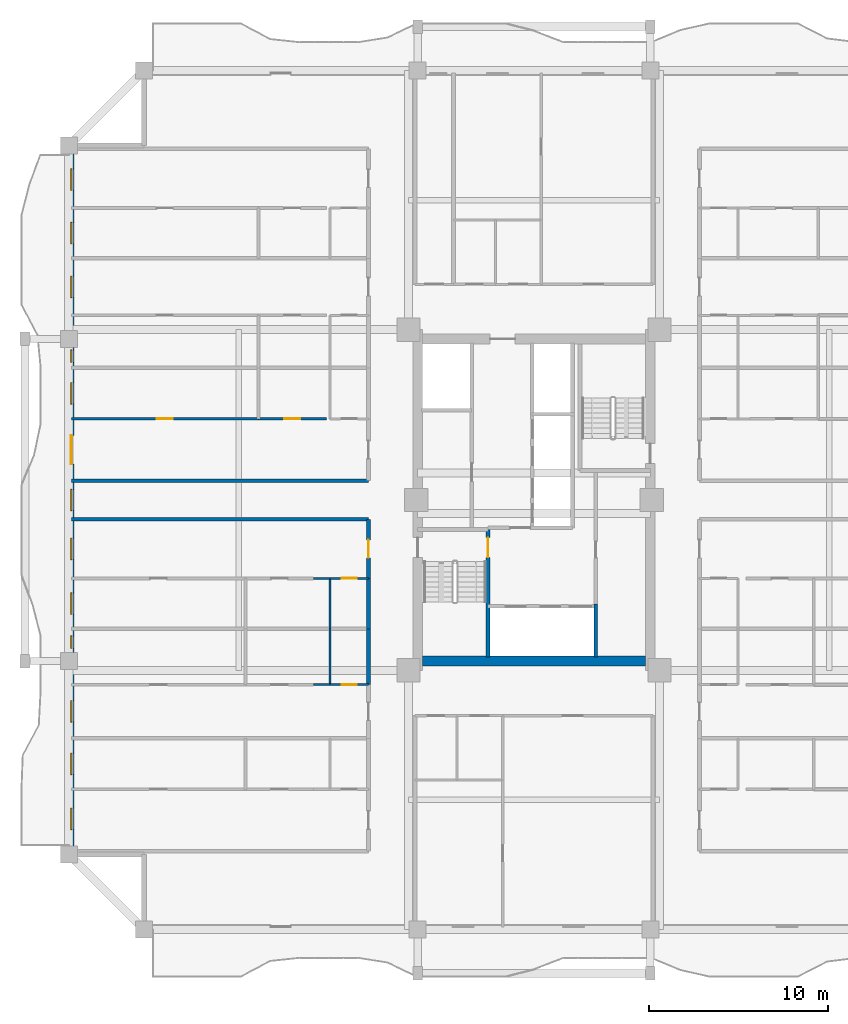
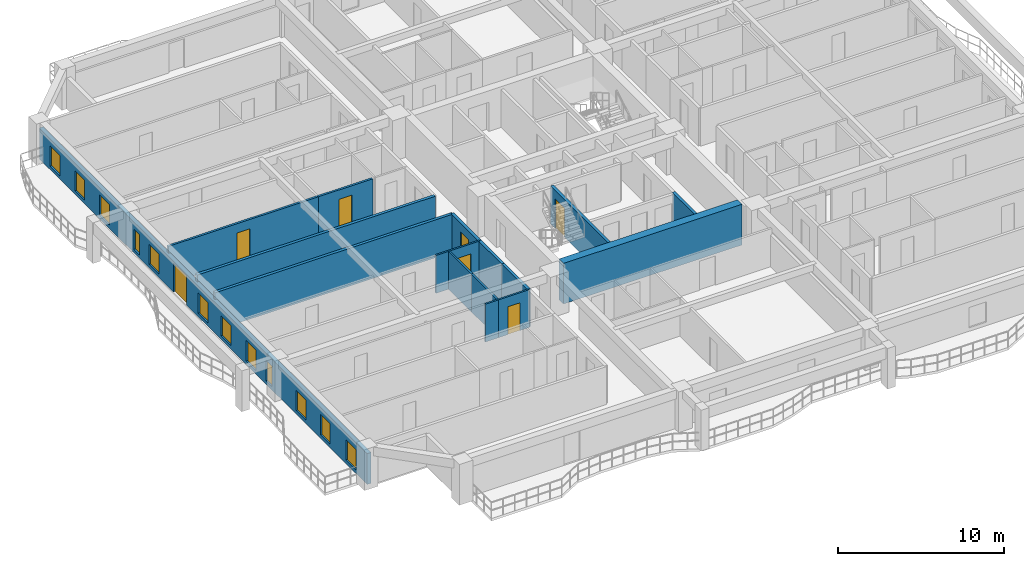
# One storey, part 3 of 13: 17 walls, 12 windows, 7 doors, 19 openings.
"""IFC4 building model written with IfcOpenShell, lengths in metres."""

from ifc_helpers import new_model, si_unit, direction, frame, frame_2d, origin, place, context, subcontext, project, spatial, rectangle, extrude, source, transform, mapped, material, layer, layer_set, type_object, element, fill, save


model = new_model("IFC4")

# Units and contexts
model_context = context("Model", 3, precision=1e-05, world=origin(), true_north=direction((0.0, 1.0)))
body_context = subcontext(model_context, "Body", "Model", "MODEL_VIEW")
ifc_project = project(units=[si_unit("LENGTHUNIT", "METRE"), si_unit("AREAUNIT", "SQUARE_METRE"), si_unit("VOLUMEUNIT", "CUBIC_METRE"), si_unit("PLANEANGLEUNIT", "RADIAN"), si_unit("MASSUNIT", "GRAM", prefix="KILO")], contexts=[model_context])

# Site, building, storey
site_placement = place(None, origin())
site = spatial("IfcSite", under=ifc_project, at=site_placement, CompositionType="ELEMENT")
building_placement = place(site_placement, origin())
building = spatial("IfcBuilding", under=site, at=building_placement, Name="Saelheon Loggia Tower", CompositionType="ELEMENT")
storey_placement = place(building_placement, frame((0.0, 0.0, 92.85009765625)))
storey = spatial("IfcBuildingStorey", under=building, at=storey_placement, Name="L29", CompositionType="ELEMENT", Elevation=92.85009765625)

# Wall
ifc_material_1 = material(Name="Concrete C50/60", Category="concrete")
ifc_layer_1 = layer(ifc_material_1, 0.550048828125)
ifc_layer_set_1 = layer_set([ifc_layer_1], Name="Concrete C50/60")
wall_type_1 = type_object("IfcWallType", Name="Wall_CoreShear_550", PredefinedType="SHEAR", material=ifc_layer_set_1)
wall_1_placement = place(storey_placement, frame((31.77490234375, 18.0, 0.0), z_axis=(0.0, 0.0, 1.0), x_axis=(1.0, 0.0, 0.0)))
element("IfcWall", 1, at=wall_1_placement, inside=storey, type_object=wall_type_1, Name="L29 Core Shear Wall South", PredefinedType="SHEAR", context=body_context, shape_type="SweptSolid", body=[
    extrude(rectangle(XDim=12.4501953125, YDim=0.550048828125, at=frame_2d((6.22509765625, 0.0))), origin(), (0.0, 0.0, 1.0), 3.0),
])

# Wall, openings, windows, door
ifc_material_2 = material(Name="Architectural Precast Concrete C40/50", Category="concrete")
ifc_layer_2 = layer(ifc_material_2, 0.280029296875)
ifc_layer_set_2 = layer_set([ifc_layer_2], Name="Architectural Precast Concrete C40/50")
wall_type_2 = type_object("IfcWallType", Name="Wall_Ext_Loggia_280", PredefinedType="SOLIDWALL", material=ifc_layer_set_2)
wall_2_placement = place(storey_placement, frame((12.139892578125, 7.199951171875, 0.0), z_axis=(0.0, 0.0, 1.0), x_axis=(0.0, 1.0, 0.0)))
wall_2 = element("IfcWall", 2, at=wall_2_placement, inside=storey, type_object=wall_type_2, Name="L29 West Loggia Inner Wall", PredefinedType="SOLIDWALL", context=body_context, shape_type="SweptSolid", body=[
    extrude(rectangle(XDim=39.60009765625, YDim=0.280029296875, at=frame_2d((19.800048828125, 0.0))), origin(), (0.0, 0.0, 1.0), 2.27978515625),
])
opening_1_placement = place(wall_2_placement, frame((1.374267578125, 0.0, 0.25)))
opening_1 = element("IfcOpeningElement", 3, at=opening_1_placement, cuts=wall_2, Name="Opening WN-03", PredefinedType="OPENING", context=body_context, shape_type="SweptSolid", body=[
    extrude(rectangle(XDim=1.199951171875, YDim=1.5, at=frame_2d((0.60009765625, 0.75))), frame((0.0, 0.152099609375, 0.0), z_axis=(0.0, -1.0, 0.0), x_axis=(1.0, 0.0, 0.0)), (0.0, 0.0, 1.0), 0.303955078125),
])
opening_2_placement = place(wall_2_placement, frame((4.45849609375, 0.0, 0.25)))
opening_2 = element("IfcOpeningElement", 4, at=opening_2_placement, cuts=wall_2, Name="Opening WN-03", PredefinedType="OPENING", context=body_context, shape_type="SweptSolid", body=[
    extrude(rectangle(XDim=1.199951171875, YDim=1.5, at=frame_2d((0.60009765625, 0.75))), frame((0.0, 0.152099609375, 0.0), z_axis=(0.0, -1.0, 0.0), x_axis=(1.0, 0.0, 0.0)), (0.0, 0.0, 1.0), 0.303955078125),
])
opening_3_placement = place(wall_2_placement, frame((7.3818359375, 0.0, 0.25)))
opening_3 = element("IfcOpeningElement", 5, at=opening_3_placement, cuts=wall_2, Name="Opening WN-03", PredefinedType="OPENING", context=body_context, shape_type="SweptSolid", body=[
    extrude(rectangle(XDim=1.199951171875, YDim=1.5, at=frame_2d((0.60009765625, 0.75))), frame((0.0, 0.152099609375, 0.0), z_axis=(0.0, -1.0, 0.0), x_axis=(1.0, 0.0, 0.0)), (0.0, 0.0, 1.0), 0.303955078125),
])
opening_4_placement = place(wall_2_placement, frame((11.50830078125, 0.0, 0.25)))
opening_4 = element("IfcOpeningElement", 6, at=opening_4_placement, cuts=wall_2, Name="Opening WN-06", PredefinedType="OPENING", context=body_context, shape_type="SweptSolid", body=[
    extrude(rectangle(XDim=0.699951171875, YDim=1.5, at=frame_2d((0.35009765625, 0.75))), frame((0.0, 0.152099609375, 0.0), z_axis=(0.0, -1.0, 0.0), x_axis=(1.0, 0.0, 0.0)), (0.0, 0.0, 1.0), 0.303955078125),
])
opening_5_placement = place(wall_2_placement, frame((13.408935546875, 0.0, 0.25)))
opening_5 = element("IfcOpeningElement", 7, at=opening_5_placement, cuts=wall_2, Name="Opening WN-03", PredefinedType="OPENING", context=body_context, shape_type="SweptSolid", body=[
    extrude(rectangle(XDim=1.199951171875, YDim=1.5, at=frame_2d((0.60009765625, 0.75))), frame((0.0, 0.152099609375, 0.0), z_axis=(0.0, -1.0, 0.0), x_axis=(1.0, 0.0, 0.0)), (0.0, 0.0, 1.0), 0.303955078125),
])
opening_6_placement = place(wall_2_placement, frame((16.468017578125, 0.0, 0.25)))
opening_6 = element("IfcOpeningElement", 8, at=opening_6_placement, cuts=wall_2, Name="Opening WN-03", PredefinedType="OPENING", context=body_context, shape_type="SweptSolid", body=[
    extrude(rectangle(XDim=1.199951171875, YDim=1.5, at=frame_2d((0.60009765625, 0.75))), frame((0.0, 0.152099609375, 0.0), z_axis=(0.0, -1.0, 0.0), x_axis=(1.0, 0.0, 0.0)), (0.0, 0.0, 1.0), 0.303955078125),
])
opening_7_placement = place(wall_2_placement, frame((19.199951171875, 0.0, 0.25)))
opening_7 = element("IfcOpeningElement", 9, at=opening_7_placement, cuts=wall_2, Name="Opening WN-03", PredefinedType="OPENING", context=body_context, shape_type="SweptSolid", body=[
    extrude(rectangle(XDim=1.199951171875, YDim=1.5, at=frame_2d((0.60009765625, 0.75))), frame((0.0, 0.152099609375, 0.0), z_axis=(0.0, -1.0, 0.0), x_axis=(1.0, 0.0, 0.0)), (0.0, 0.0, 1.0), 0.303955078125),
])
opening_8_placement = place(wall_2_placement, frame((21.806884765625, 0.0, 0.0)))
opening_8 = element("IfcOpeningElement", 10, at=opening_8_placement, cuts=wall_2, Name="Opening DLG-1", PredefinedType="OPENING", context=body_context, shape_type="SweptSolid", body=[
    extrude(rectangle(XDim=1.60009765625, YDim=2.14990234375, at=frame_2d((0.800048828125, 1.074951171875))), frame((0.0, 0.152099609375, 0.0), z_axis=(0.0, -1.0, 0.0), x_axis=(1.0, 0.0, 0.0)), (0.0, 0.0, 1.0), 0.303955078125),
])
opening_9_placement = place(wall_2_placement, frame((25.15869140625, 0.0, 0.25)))
opening_9 = element("IfcOpeningElement", 11, at=opening_9_placement, cuts=wall_2, Name="Opening WN-03", PredefinedType="OPENING", context=body_context, shape_type="SweptSolid", body=[
    extrude(rectangle(XDim=1.199951171875, YDim=1.5, at=frame_2d((0.60009765625, 0.75))), frame((0.0, 0.152099609375, 0.0), z_axis=(0.0, -1.0, 0.0), x_axis=(1.0, 0.0, 0.0)), (0.0, 0.0, 1.0), 0.303955078125),
])
opening_10_placement = place(wall_2_placement, frame((27.484375, 0.0, 0.25)))
opening_10 = element("IfcOpeningElement", 12, at=opening_10_placement, cuts=wall_2, Name="Opening WN-06", PredefinedType="OPENING", context=body_context, shape_type="SweptSolid", body=[
    extrude(rectangle(XDim=0.699951171875, YDim=1.5, at=frame_2d((0.35009765625, 0.75))), frame((0.0, 0.152099609375, 0.0), z_axis=(0.0, -1.0, 0.0), x_axis=(1.0, 0.0, 0.0)), (0.0, 0.0, 1.0), 0.303955078125),
])
opening_11_placement = place(wall_2_placement, frame((31.11083984375, 0.0, 0.25)))
opening_11 = element("IfcOpeningElement", 13, at=opening_11_placement, cuts=wall_2, Name="Opening WN-03", PredefinedType="OPENING", context=body_context, shape_type="SweptSolid", body=[
    extrude(rectangle(XDim=1.199951171875, YDim=1.5, at=frame_2d((0.60009765625, 0.75))), frame((0.0, 0.152099609375, 0.0), z_axis=(0.0, -1.0, 0.0), x_axis=(1.0, 0.0, 0.0)), (0.0, 0.0, 1.0), 0.303955078125),
])
opening_12_placement = place(wall_2_placement, frame((34.10888671875, 0.0, 0.25)))
opening_12 = element("IfcOpeningElement", 14, at=opening_12_placement, cuts=wall_2, Name="Opening WN-03", PredefinedType="OPENING", context=body_context, shape_type="SweptSolid", body=[
    extrude(rectangle(XDim=1.199951171875, YDim=1.5, at=frame_2d((0.60009765625, 0.75))), frame((0.0, 0.152099609375, 0.0), z_axis=(0.0, -1.0, 0.0), x_axis=(1.0, 0.0, 0.0)), (0.0, 0.0, 1.0), 0.303955078125),
])
opening_13_placement = place(wall_2_placement, frame((37.1005859375, 0.0, 0.25)))
opening_13 = element("IfcOpeningElement", 15, at=opening_13_placement, cuts=wall_2, Name="Opening WN-03", PredefinedType="OPENING", context=body_context, shape_type="SweptSolid", body=[
    extrude(rectangle(XDim=1.199951171875, YDim=1.5, at=frame_2d((0.60009765625, 0.75))), frame((0.0, 0.152099609375, 0.0), z_axis=(0.0, -1.0, 0.0), x_axis=(1.0, 0.0, 0.0)), (0.0, 0.0, 1.0), 0.303955078125),
])
ifc_material_3 = material(Name="Thermal-Break Aluminium and Triple Low-E Glass", Category="aluminium")
window_type_1 = type_object("IfcWindowType", Name="Win_Slot_700x1500", PartitioningType="SINGLE_PANEL", PredefinedType="WINDOW", material=ifc_material_3)
shared_shape_1 = source(origin(), body_context, "Body", "SweptSolid", [
    extrude(rectangle(XDim=0.699951171875, YDim=1.5, at=frame_2d((0.35009765625, 0.75))), frame((0.0, 0.030029296875, 0.0), z_axis=(0.0, -1.0, 0.0), x_axis=(1.0, 0.0, 0.0)), (0.0, 0.0, 1.0), 0.06005859375),
])
window_1_placement = place(opening_4_placement, origin())
window_1 = element("IfcWindow", 16, at=window_1_placement, inside=storey, type_object=window_type_1, Name="L29 W Dwelling Window 4", OverallHeight=1.5, OverallWidth=0.699951171875, PartitioningType="SINGLE_PANEL", PredefinedType="WINDOW", context=body_context, shape_type="MappedRepresentation", body=[
    mapped(shared_shape_1, transform((0.0, 0.0, 0.0), scale=1.0)),
])
fill(opening_4, window_1)
window_2_placement = place(opening_10_placement, origin())
window_2 = element("IfcWindow", 17, at=window_2_placement, inside=storey, type_object=window_type_1, Name="L29 W Dwelling Window 10", OverallHeight=1.5, OverallWidth=0.699951171875, PartitioningType="SINGLE_PANEL", PredefinedType="WINDOW", context=body_context, shape_type="MappedRepresentation", body=[
    mapped(shared_shape_1, transform((0.0, 0.0, 0.0), scale=1.0)),
])
fill(opening_10, window_2)
window_type_2 = type_object("IfcWindowType", Name="Win_Bedroom_1200x1500", PartitioningType="SINGLE_PANEL", PredefinedType="WINDOW", material=ifc_material_3)
shared_shape_2 = source(origin(), body_context, "Body", "SweptSolid", [
    extrude(rectangle(XDim=1.199951171875, YDim=1.5, at=frame_2d((0.60009765625, 0.75))), frame((0.0, 0.030029296875, 0.0), z_axis=(0.0, -1.0, 0.0), x_axis=(1.0, 0.0, 0.0)), (0.0, 0.0, 1.0), 0.06005859375),
])
window_3_placement = place(opening_1_placement, origin())
window_3 = element("IfcWindow", 18, at=window_3_placement, inside=storey, type_object=window_type_2, Name="L29 W Dwelling Window 1", OverallHeight=1.5, OverallWidth=1.199951171875, PartitioningType="SINGLE_PANEL", PredefinedType="WINDOW", context=body_context, shape_type="MappedRepresentation", body=[
    mapped(shared_shape_2, transform((0.0, 0.0, 0.0), scale=1.0)),
])
fill(opening_1, window_3)
window_4_placement = place(opening_2_placement, origin())
window_4 = element("IfcWindow", 19, at=window_4_placement, inside=storey, type_object=window_type_2, Name="L29 W Dwelling Window 2", OverallHeight=1.5, OverallWidth=1.199951171875, PartitioningType="SINGLE_PANEL", PredefinedType="WINDOW", context=body_context, shape_type="MappedRepresentation", body=[
    mapped(shared_shape_2, transform((0.0, 0.0, 0.0), scale=1.0)),
])
fill(opening_2, window_4)
window_5_placement = place(opening_3_placement, origin())
window_5 = element("IfcWindow", 20, at=window_5_placement, inside=storey, type_object=window_type_2, Name="L29 W Dwelling Window 3", OverallHeight=1.5, OverallWidth=1.199951171875, PartitioningType="SINGLE_PANEL", PredefinedType="WINDOW", context=body_context, shape_type="MappedRepresentation", body=[
    mapped(shared_shape_2, transform((0.0, 0.0, 0.0), scale=1.0)),
])
fill(opening_3, window_5)
window_6_placement = place(opening_5_placement, origin())
window_6 = element("IfcWindow", 21, at=window_6_placement, inside=storey, type_object=window_type_2, Name="L29 W Dwelling Window 5", OverallHeight=1.5, OverallWidth=1.199951171875, PartitioningType="SINGLE_PANEL", PredefinedType="WINDOW", context=body_context, shape_type="MappedRepresentation", body=[
    mapped(shared_shape_2, transform((0.0, 0.0, 0.0), scale=1.0)),
])
fill(opening_5, window_6)
window_7_placement = place(opening_6_placement, origin())
window_7 = element("IfcWindow", 22, at=window_7_placement, inside=storey, type_object=window_type_2, Name="L29 W Dwelling Window 6", OverallHeight=1.5, OverallWidth=1.199951171875, PartitioningType="SINGLE_PANEL", PredefinedType="WINDOW", context=body_context, shape_type="MappedRepresentation", body=[
    mapped(shared_shape_2, transform((0.0, 0.0, 0.0), scale=1.0)),
])
fill(opening_6, window_7)
window_8_placement = place(opening_7_placement, origin())
window_8 = element("IfcWindow", 23, at=window_8_placement, inside=storey, type_object=window_type_2, Name="L29 W Dwelling Window 7", OverallHeight=1.5, OverallWidth=1.199951171875, PartitioningType="SINGLE_PANEL", PredefinedType="WINDOW", context=body_context, shape_type="MappedRepresentation", body=[
    mapped(shared_shape_2, transform((0.0, 0.0, 0.0), scale=1.0)),
])
fill(opening_7, window_8)
window_9_placement = place(opening_9_placement, origin())
window_9 = element("IfcWindow", 24, at=window_9_placement, inside=storey, type_object=window_type_2, Name="L29 W Dwelling Window 9", OverallHeight=1.5, OverallWidth=1.199951171875, PartitioningType="SINGLE_PANEL", PredefinedType="WINDOW", context=body_context, shape_type="MappedRepresentation", body=[
    mapped(shared_shape_2, transform((0.0, 0.0, 0.0), scale=1.0)),
])
fill(opening_9, window_9)
window_10_placement = place(opening_11_placement, origin())
window_10 = element("IfcWindow", 25, at=window_10_placement, inside=storey, type_object=window_type_2, Name="L29 W Dwelling Window 11", OverallHeight=1.5, OverallWidth=1.199951171875, PartitioningType="SINGLE_PANEL", PredefinedType="WINDOW", context=body_context, shape_type="MappedRepresentation", body=[
    mapped(shared_shape_2, transform((0.0, 0.0, 0.0), scale=1.0)),
])
fill(opening_11, window_10)
window_11_placement = place(opening_12_placement, origin())
window_11 = element("IfcWindow", 26, at=window_11_placement, inside=storey, type_object=window_type_2, Name="L29 W Dwelling Window 12", OverallHeight=1.5, OverallWidth=1.199951171875, PartitioningType="SINGLE_PANEL", PredefinedType="WINDOW", context=body_context, shape_type="MappedRepresentation", body=[
    mapped(shared_shape_2, transform((0.0, 0.0, 0.0), scale=1.0)),
])
fill(opening_12, window_11)
window_12_placement = place(opening_13_placement, origin())
window_12 = element("IfcWindow", 27, at=window_12_placement, inside=storey, type_object=window_type_2, Name="L29 W Dwelling Window 13", OverallHeight=1.5, OverallWidth=1.199951171875, PartitioningType="SINGLE_PANEL", PredefinedType="WINDOW", context=body_context, shape_type="MappedRepresentation", body=[
    mapped(shared_shape_2, transform((0.0, 0.0, 0.0), scale=1.0)),
])
fill(opening_13, window_12)
ifc_material_4 = material(Name="Thermal-Break Aluminium Sliding Glazed Door", Category="aluminium")
door_type_1 = type_object("IfcDoorType", Name="Door_LoggiaSlide_1600", OperationType="SLIDING_TO_LEFT", PredefinedType="DOOR", material=ifc_material_4)
shared_shape_3 = source(origin(), body_context, "Body", "SweptSolid", [
    extrude(rectangle(XDim=1.60009765625, YDim=2.14990234375, at=frame_2d((0.800048828125, 1.074951171875))), frame((0.0, 0.02490234375, 0.0), z_axis=(0.0, -1.0, 0.0), x_axis=(1.0, 0.0, 0.0)), (0.0, 0.0, 1.0), 0.050048828125),
])
door_1_placement = place(opening_8_placement, origin())
door_1 = element("IfcDoor", 28, at=door_1_placement, inside=storey, type_object=door_type_1, Name="L29 W Loggia Access Door", OperationType="SLIDING_TO_LEFT", OverallHeight=2.14990234375, OverallWidth=1.60009765625, PredefinedType="DOOR", context=body_context, shape_type="MappedRepresentation", body=[
    mapped(shared_shape_3, transform((0.0, 0.0, 0.0), scale=1.0)),
])
fill(opening_8, door_1)

# Wall, opening, door
ifc_material_5 = material(Name="Lightweight Autoclaved Aerated Concrete Block and Acoustic Gypsum", Category="concrete")
ifc_layer_3 = layer(ifc_material_5, 0.14990234375)
ifc_layer_set_3 = layer_set([ifc_layer_3], Name="Lightweight Autoclaved Aerated Concrete Block and Acoustic Gypsum")
wall_type_3 = type_object("IfcWallType", Name="Wall_Part_150", PredefinedType="PARTITIONING", material=ifc_layer_set_3)
wall_3_placement = place(storey_placement, frame((26.39990234375, 31.53369140625, 0.0), z_axis=(0.0, 0.0, 1.0), x_axis=(-1.0, 0.0, 0.0)))
wall_3 = element("IfcWall", 29, at=wall_3_placement, inside=storey, type_object=wall_type_3, Name="L29 WN Partition U08", PredefinedType="PARTITIONING", context=body_context, shape_type="SweptSolid", body=[
    extrude(rectangle(XDim=3.7998046875, YDim=0.14990234375, at=frame_2d((1.89990234375, 0.0))), origin(), (0.0, 0.0, 1.0), 2.789794921875),
])
opening_14_placement = place(wall_3_placement, frame((1.449951171875, 0.0, 0.0)))
opening_14 = element("IfcOpeningElement", 30, at=opening_14_placement, cuts=wall_3, Name="Opening D-IN2", PredefinedType="OPENING", context=body_context, shape_type="SweptSolid", body=[
    extrude(rectangle(XDim=0.89990234375, YDim=2.10009765625, at=frame_2d((0.449951171875, 1.050048828125))), frame((0.0, 0.0869140625, 0.0), z_axis=(0.0, -1.0, 0.0), x_axis=(1.0, 0.0, 0.0)), (0.0, 0.0, 1.0), 0.173828125),
])
ifc_material_6 = material(Name="Engineered Oak Flush Door", Category="timber")
door_type_2 = type_object("IfcDoorType", Name="Door_Int_900", OperationType="NOTDEFINED", PredefinedType="DOOR", material=ifc_material_6)
shared_shape_4 = source(origin(), body_context, "Body", "SweptSolid", [
    extrude(rectangle(XDim=0.89990234375, YDim=2.10009765625, at=frame_2d((0.449951171875, 1.050048828125))), frame((0.0, 0.02490234375, 0.0), z_axis=(0.0, -1.0, 0.0), x_axis=(1.0, 0.0, 0.0)), (0.0, 0.0, 1.0), 0.050048828125),
])
door_2_placement = place(opening_14_placement, origin())
door_2 = element("IfcDoor", 31, at=door_2_placement, inside=storey, type_object=door_type_2, Name="Unit U04 Kitchen Door", OperationType="SINGLE_SWING_RIGHT", OverallHeight=2.10009765625, OverallWidth=0.89990234375, PredefinedType="DOOR", context=body_context, shape_type="MappedRepresentation", body=[
    mapped(shared_shape_4, transform((0.0, 0.0, 0.0), scale=1.0)),
])
fill(opening_14, door_2)

wall_4_placement = place(storey_placement, frame((22.60009765625, 31.53369140625, 0.0), z_axis=(0.0, 0.0, 1.0), x_axis=(-1.0, 0.0, 0.0)))
wall_4 = element("IfcWall", 32, at=wall_4_placement, inside=storey, type_object=wall_type_3, Name="L29 WN Partition U09", PredefinedType="PARTITIONING", context=body_context, shape_type="SweptSolid", body=[
    extrude(rectangle(XDim=10.4501953125, YDim=0.14990234375, at=frame_2d((5.22509765625, 0.0))), origin(), (0.0, 0.0, 1.0), 2.789794921875),
])
opening_15_placement = place(wall_4_placement, frame((4.77490234375, 0.0, 0.0)))
opening_15 = element("IfcOpeningElement", 33, at=opening_15_placement, cuts=wall_4, Name="Opening D-IN2", PredefinedType="OPENING", context=body_context, shape_type="SweptSolid", body=[
    extrude(rectangle(XDim=0.89990234375, YDim=2.10009765625, at=frame_2d((0.449951171875, 1.050048828125))), frame((0.0, 0.0869140625, 0.0), z_axis=(0.0, -1.0, 0.0), x_axis=(1.0, 0.0, 0.0)), (0.0, 0.0, 1.0), 0.173828125),
])
door_3_placement = place(opening_15_placement, origin())
door_3 = element("IfcDoor", 34, at=door_3_placement, inside=storey, type_object=door_type_2, Name="Unit U04 Bedroom 1 Door", OperationType="SINGLE_SWING_LEFT", OverallHeight=2.10009765625, OverallWidth=0.89990234375, PredefinedType="DOOR", context=body_context, shape_type="MappedRepresentation", body=[
    mapped(shared_shape_4, transform((0.0, 0.0, 0.0), scale=1.0)),
])
fill(opening_15, door_3)

# Walls
ifc_material_7 = material(Name="Double Acoustic Stud and Fireboard Partition", Category="gypsum")
ifc_layer_4 = layer(ifc_material_7, 0.199951171875)
ifc_layer_set_4 = layer_set([ifc_layer_4], Name="Double Acoustic Stud and Fireboard Partition")
wall_type_4 = type_object("IfcWallType", Name="Wall_Party_200", PredefinedType="PARTITIONING", material=ifc_layer_set_4)
wall_5_placement = place(storey_placement, frame((28.75, 25.919921875, 0.0), z_axis=(0.0, 0.0, 1.0), x_axis=(-1.0, 0.0, 0.0)))
element("IfcWall", 35, at=wall_5_placement, inside=storey, type_object=wall_type_4, Name="L29 WS Partition U02", PredefinedType="PARTITIONING", context=body_context, shape_type="SweptSolid", body=[
    extrude(rectangle(XDim=16.60009765625, YDim=0.199951171875, at=frame_2d((8.300048828125, 0.0))), origin(), (0.0, 0.0, 1.0), 2.789794921875),
])
wall_6_placement = place(storey_placement, frame((28.75, 16.679931640625, 0.0), z_axis=(0.0, 0.0, 1.0), x_axis=(0.0, 1.0, 0.0)))
element("IfcWall", 36, at=wall_6_placement, inside=storey, type_object=wall_type_4, Name="L29 WS Partition V13", PredefinedType="PARTITIONING", context=body_context, shape_type="SweptSolid", body=[
    extrude(rectangle(XDim=3.121826171875, YDim=0.199951171875, at=frame_2d((1.56103515625, 0.0))), origin(), (0.0, 0.0, 1.0), 2.789794921875),
])
wall_7_placement = place(storey_placement, frame((28.75, 19.8017578125, 0.0), z_axis=(0.0, 0.0, 1.0), x_axis=(0.0, 1.0, 0.0)))
element("IfcWall", 37, at=wall_7_placement, inside=storey, type_object=wall_type_4, Name="L29 WS Partition V21", PredefinedType="PARTITIONING", context=body_context, shape_type="SweptSolid", body=[
    extrude(rectangle(XDim=2.814453125, YDim=0.199951171875, at=frame_2d((1.4072265625, 0.0))), origin(), (0.0, 0.0, 1.0), 2.789794921875),
])

# Wall, opening, door
wall_8_placement = place(storey_placement, frame((28.75, 22.6162109375, 0.0), z_axis=(0.0, 0.0, 1.0), x_axis=(0.0, 1.0, 0.0)))
wall_8 = element("IfcWall", 38, at=wall_8_placement, inside=storey, type_object=wall_type_4, Name="L29 WS Partition V22", PredefinedType="PARTITIONING", context=body_context, shape_type="SweptSolid", body=[
    extrude(rectangle(XDim=3.3037109375, YDim=0.199951171875, at=frame_2d((1.65185546875, 0.0))), origin(), (0.0, 0.0, 1.0), 2.789794921875),
])
opening_16_placement = place(wall_8_placement, frame((1.15185546875, 0.0, 0.0)))
opening_16 = element("IfcOpeningElement", 39, at=opening_16_placement, cuts=wall_8, Name="Opening D-FD1", PredefinedType="OPENING", context=body_context, shape_type="SweptSolid", body=[
    extrude(rectangle(XDim=1.0, YDim=2.14990234375, at=frame_2d((0.5, 1.074951171875))), frame((0.0, 0.112060546875, 0.0), z_axis=(0.0, -1.0, 0.0), x_axis=(1.0, 0.0, 0.0)), (0.0, 0.0, 1.0), 0.223876953125),
])
ifc_material_8 = material(Name="Fire-Rated Engineered Timber Entrance Door", Category="wood")
door_type_3 = type_object("IfcDoorType", Name="Door_Flat_FD30S", OperationType="NOTDEFINED", PredefinedType="DOOR", material=ifc_material_8)
shared_shape_5 = source(origin(), body_context, "Body", "SweptSolid", [
    extrude(rectangle(XDim=1.0, YDim=2.14990234375, at=frame_2d((0.5, 1.074951171875))), frame((0.0, 0.02490234375, 0.0), z_axis=(0.0, -1.0, 0.0), x_axis=(1.0, 0.0, 0.0)), (0.0, 0.0, 1.0), 0.050048828125),
])
door_4_placement = place(opening_16_placement, origin())
door_4 = element("IfcDoor", 40, at=door_4_placement, inside=storey, type_object=door_type_3, Name="Unit U03 Entrance Door", OperationType="SINGLE_SWING_RIGHT", OverallHeight=2.14990234375, OverallWidth=1.0, PredefinedType="DOOR", context=body_context, shape_type="MappedRepresentation", body=[
    mapped(shared_shape_5, transform((0.0, 0.0, 0.0), scale=1.0)),
])
fill(opening_16, door_4)

# Walls
wall_9_placement = place(storey_placement, frame((28.75, 28.080078125, 0.0), z_axis=(0.0, 0.0, 1.0), x_axis=(-1.0, 0.0, 0.0)))
element("IfcWall", 41, at=wall_9_placement, inside=storey, type_object=wall_type_4, Name="L29 WN Partition U01", PredefinedType="PARTITIONING", context=body_context, shape_type="SweptSolid", body=[
    extrude(rectangle(XDim=16.60009765625, YDim=0.199951171875, at=frame_2d((8.300048828125, 0.0))), origin(), (0.0, 0.0, 1.0), 2.789794921875),
])
ifc_material_9 = material(Name="Concrete C40/50", Category="concrete")
ifc_layer_5 = layer(ifc_material_9, 0.199951171875)
ifc_layer_set_5 = layer_set([ifc_layer_5], Name="Concrete C40/50")
wall_type_5 = type_object("IfcWallType", Name="Wall_Shaft_200", PredefinedType="PARTITIONING", material=ifc_layer_set_5)
wall_10_placement = place(storey_placement, frame((41.449951171875, 18.219970703125, 0.0), z_axis=(0.0, 0.0, 1.0), x_axis=(0.0, 1.0, 0.0)))
element("IfcWall", 42, at=wall_10_placement, inside=storey, type_object=wall_type_5, Name="CW-INT-L29-BOH-W0", PredefinedType="PARTITIONING", context=body_context, shape_type="SweptSolid", body=[
    extrude(rectangle(XDim=2.9599609375, YDim=0.199951171875, at=frame_2d((1.47998046875, 0.0))), origin(), (0.0, 0.0, 1.0), 2.789794921875),
])

# Wall, opening, door
ifc_material_10 = material(Name="Concrete C45/55", Category="concrete")
ifc_layer_6 = layer(ifc_material_10, 0.199951171875)
ifc_layer_set_6 = layer_set([ifc_layer_6], Name="Concrete C45/55")
wall_type_6 = type_object("IfcWallType", Name="Wall_StairShaft_RC200", PredefinedType="SOLIDWALL", material=ifc_layer_set_6)
wall_11_placement = place(storey_placement, frame((35.429931640625, 18.219970703125, 0.0), z_axis=(0.0, 0.0, 1.0), x_axis=(0.0, 1.0, 0.0)))
wall_11 = element("IfcWall", 43, at=wall_11_placement, inside=storey, type_object=wall_type_6, Name="L29 Stair ST1 Shaft Wall", PredefinedType="SOLIDWALL", context=body_context, shape_type="SweptSolid", body=[
    extrude(rectangle(XDim=7.219970703125, YDim=0.199951171875, at=frame_2d((3.60986328125, 0.0))), origin(), (0.0, 0.0, 1.0), 2.789794921875),
])
opening_17_placement = place(wall_11_placement, frame((6.68017578125, 0.0, 0.0), z_axis=(0.0, 0.0, 1.0), x_axis=(-1.0, 0.0, 0.0)))
opening_17 = element("IfcOpeningElement", 44, at=opening_17_placement, cuts=wall_11, Name="Opening D-FD2", PredefinedType="OPENING", context=body_context, shape_type="SweptSolid", body=[
    extrude(rectangle(XDim=1.10009765625, YDim=2.14990234375, at=frame_2d((0.550048828125, 1.074951171875))), frame((0.0, 0.112060546875, 0.0), z_axis=(0.0, -1.0, 0.0), x_axis=(1.0, 0.0, 0.0)), (0.0, 0.0, 1.0), 0.223876953125),
])
ifc_material_11 = material(Name="Galvanised Steel Fire Door", Category="steel")
door_type_4 = type_object("IfcDoorType", Name="Door_Fire_FD60_1100", OperationType="NOTDEFINED", PredefinedType="DOOR", material=ifc_material_11)
shared_shape_6 = source(origin(), body_context, "Body", "SweptSolid", [
    extrude(rectangle(XDim=1.10009765625, YDim=2.14990234375, at=frame_2d((0.550048828125, 1.074951171875))), frame((0.0, 0.02490234375, 0.0), z_axis=(0.0, -1.0, 0.0), x_axis=(1.0, 0.0, 0.0)), (0.0, 0.0, 1.0), 0.050048828125),
])
door_5_placement = place(opening_17_placement, origin())
door_5 = element("IfcDoor", 45, at=door_5_placement, inside=storey, type_object=door_type_4, Name="L29 Stair ST1 Lobby Door", OperationType="SINGLE_SWING_RIGHT", OverallHeight=2.14990234375, OverallWidth=1.10009765625, PredefinedType="DOOR", context=body_context, shape_type="MappedRepresentation", body=[
    mapped(shared_shape_6, transform((0.0, 0.0, 0.0), scale=1.0)),
])
fill(opening_17, door_5)

ifc_material_12 = material(Name="Moisture-Resistant Cement Board Partition", Category="gypsum")
ifc_layer_7 = layer(ifc_material_12, 0.1201171875)
ifc_layer_set_7 = layer_set([ifc_layer_7], Name="Moisture-Resistant Cement Board Partition")
wall_type_7 = type_object("IfcWallType", Name="Wall_WetPart_120", PredefinedType="PARTITIONING", material=ifc_layer_set_7)
wall_12_placement = place(storey_placement, frame((28.75, 16.679931640625, 0.0), z_axis=(0.0, 0.0, 1.0), x_axis=(-1.0, 0.0, 0.0)))
wall_12 = element("IfcWall", 46, at=wall_12_placement, inside=storey, type_object=wall_type_7, Name="L29 WS Partition U14", PredefinedType="PARTITIONING", context=body_context, shape_type="SweptSolid", body=[
    extrude(rectangle(XDim=2.14990234375, YDim=0.1201171875, at=frame_2d((1.074951171875, 0.0))), origin(), (0.0, 0.0, 1.0), 2.789794921875),
])
opening_18_placement = place(wall_12_placement, frame((0.64990234375, 0.0, 0.0)))
opening_18 = element("IfcOpeningElement", 47, at=opening_18_placement, cuts=wall_12, Name="Opening D-BT1", PredefinedType="OPENING", context=body_context, shape_type="SweptSolid", body=[
    extrude(rectangle(XDim=0.85009765625, YDim=2.050048828125, at=frame_2d((0.425048828125, 1.02490234375))), frame((0.0, 0.072021484375, 0.0), z_axis=(0.0, -1.0, 0.0), x_axis=(1.0, 0.0, 0.0)), (0.0, 0.0, 1.0), 0.14404296875),
])
ifc_material_13 = material(Name="Moisture-Resistant Laminate Timber Door", Category="wood")
door_type_5 = type_object("IfcDoorType", Name="Door_Bath_850", OperationType="NOTDEFINED", PredefinedType="DOOR", material=ifc_material_13)
shared_shape_7 = source(origin(), body_context, "Body", "SweptSolid", [
    extrude(rectangle(XDim=0.85009765625, YDim=2.050048828125, at=frame_2d((0.425048828125, 1.02490234375))), frame((0.0, 0.02490234375, 0.0), z_axis=(0.0, -1.0, 0.0), x_axis=(1.0, 0.0, 0.0)), (0.0, 0.0, 1.0), 0.050048828125),
])
door_6_placement = place(opening_18_placement, origin())
door_6 = element("IfcDoor", 48, at=door_6_placement, inside=storey, type_object=door_type_5, Name="Unit U02 Bathroom Door", OperationType="SINGLE_SWING_LEFT", OverallHeight=2.050048828125, OverallWidth=0.85009765625, PredefinedType="DOOR", context=body_context, shape_type="MappedRepresentation", body=[
    mapped(shared_shape_7, transform((0.0, 0.0, 0.0), scale=1.0)),
])
fill(opening_18, door_6)

# Walls
wall_13_placement = place(storey_placement, frame((26.60009765625, 16.679931640625, 0.0), z_axis=(0.0, 0.0, 1.0), x_axis=(-1.0, 0.0, 0.0)))
element("IfcWall", 49, at=wall_13_placement, inside=storey, type_object=wall_type_7, Name="L29 WS Partition U15", PredefinedType="PARTITIONING", context=body_context, shape_type="SweptSolid", body=[
    extrude(rectangle(XDim=0.920166015625, YDim=0.1201171875, at=frame_2d((0.4599609375, 0.0))), origin(), (0.0, 0.0, 1.0), 2.789794921875),
])
wall_14_placement = place(storey_placement, frame((26.60009765625, 16.679931640625, 0.0), z_axis=(0.0, 0.0, 1.0), x_axis=(0.0, 1.0, 0.0)))
element("IfcWall", 50, at=wall_14_placement, inside=storey, type_object=wall_type_7, Name="L29 WS Partition V16", PredefinedType="PARTITIONING", context=body_context, shape_type="SweptSolid", body=[
    extrude(rectangle(XDim=3.121826171875, YDim=0.1201171875, at=frame_2d((1.56103515625, 0.0))), origin(), (0.0, 0.0, 1.0), 2.789794921875),
])

# Wall, opening, door
wall_15_placement = place(storey_placement, frame((28.75, 22.6162109375, 0.0), z_axis=(0.0, 0.0, 1.0), x_axis=(-1.0, 0.0, 0.0)))
wall_15 = element("IfcWall", 51, at=wall_15_placement, inside=storey, type_object=wall_type_7, Name="L29 WS Partition U23", PredefinedType="PARTITIONING", context=body_context, shape_type="SweptSolid", body=[
    extrude(rectangle(XDim=2.14990234375, YDim=0.1201171875, at=frame_2d((1.074951171875, 0.0))), origin(), (0.0, 0.0, 1.0), 2.789794921875),
])
opening_19_placement = place(wall_15_placement, frame((0.64990234375, 0.0, 0.0)))
opening_19 = element("IfcOpeningElement", 52, at=opening_19_placement, cuts=wall_15, Name="Opening D-BT1", PredefinedType="OPENING", context=body_context, shape_type="SweptSolid", body=[
    extrude(rectangle(XDim=0.85009765625, YDim=2.050048828125, at=frame_2d((0.425048828125, 1.02490234375))), frame((0.0, 0.072021484375, 0.0), z_axis=(0.0, -1.0, 0.0), x_axis=(1.0, 0.0, 0.0)), (0.0, 0.0, 1.0), 0.14404296875),
])
door_7_placement = place(opening_19_placement, origin())
door_7 = element("IfcDoor", 53, at=door_7_placement, inside=storey, type_object=door_type_5, Name="Unit U03 Bathroom Door", OperationType="SINGLE_SWING_LEFT", OverallHeight=2.050048828125, OverallWidth=0.85009765625, PredefinedType="DOOR", context=body_context, shape_type="MappedRepresentation", body=[
    mapped(shared_shape_7, transform((0.0, 0.0, 0.0), scale=1.0)),
])
fill(opening_19, door_7)

# Walls
wall_16_placement = place(storey_placement, frame((26.60009765625, 22.6162109375, 0.0), z_axis=(0.0, 0.0, 1.0), x_axis=(-1.0, 0.0, 0.0)))
element("IfcWall", 54, at=wall_16_placement, inside=storey, type_object=wall_type_7, Name="L29 WS Partition U24", PredefinedType="PARTITIONING", context=body_context, shape_type="SweptSolid", body=[
    extrude(rectangle(XDim=0.920166015625, YDim=0.1201171875, at=frame_2d((0.4599609375, 0.0))), origin(), (0.0, 0.0, 1.0), 2.789794921875),
])
wall_17_placement = place(storey_placement, frame((26.60009765625, 19.8017578125, 0.0), z_axis=(0.0, 0.0, 1.0), x_axis=(0.0, 1.0, 0.0)))
element("IfcWall", 55, at=wall_17_placement, inside=storey, type_object=wall_type_7, Name="L29 WS Partition V25", PredefinedType="PARTITIONING", context=body_context, shape_type="SweptSolid", body=[
    extrude(rectangle(XDim=2.814453125, YDim=0.1201171875, at=frame_2d((1.4072265625, 0.0))), origin(), (0.0, 0.0, 1.0), 2.789794921875),
])

save(model, "model.ifc")
